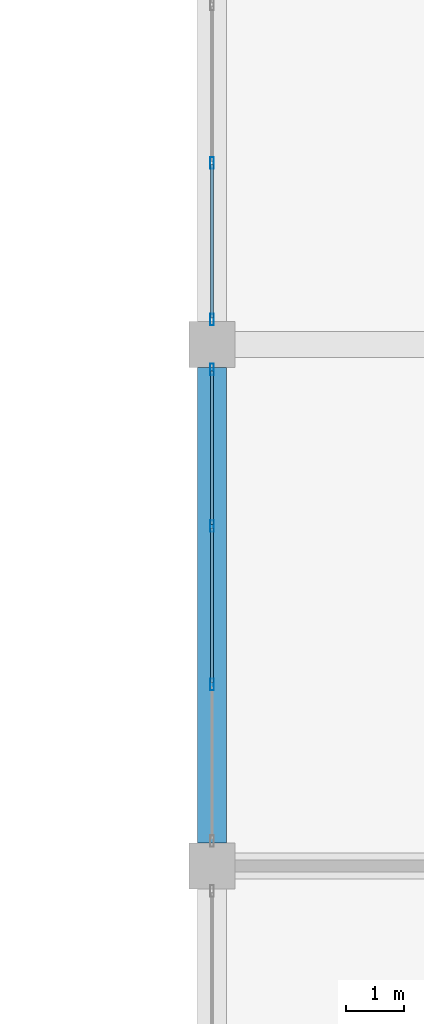
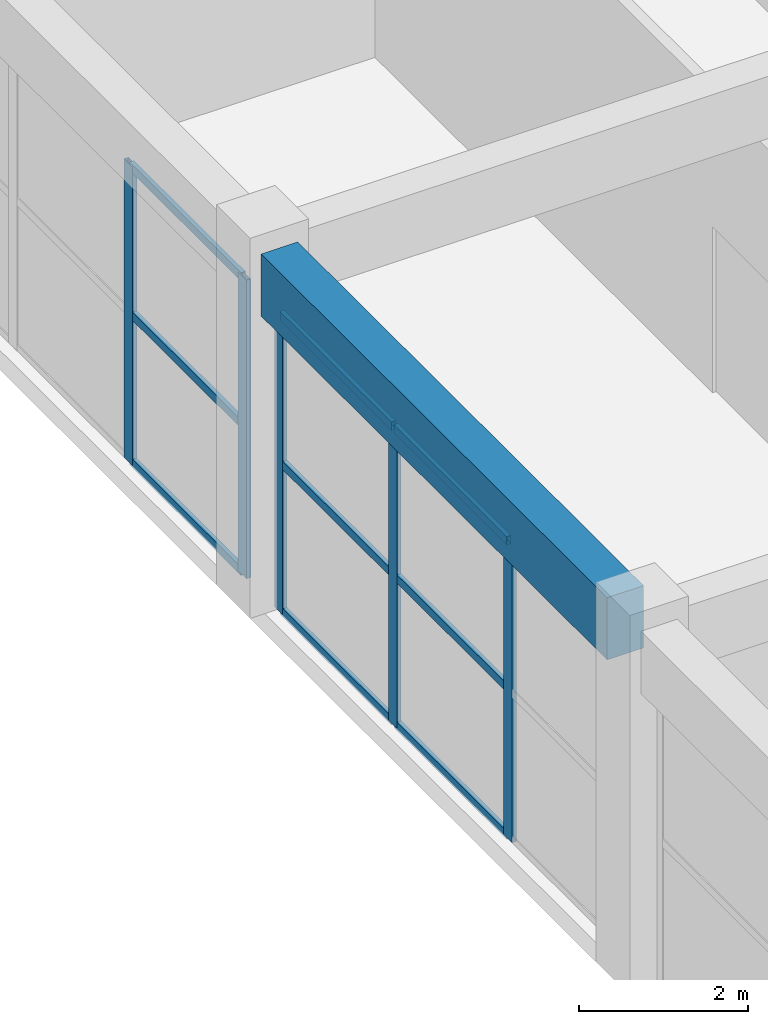
# One storey, part 74 of 185: 14 members, 1 beam, 2 elements without a shape of their own.
"""IFC4 building model written with IfcOpenShell, lengths in metres."""

import ifcopenshell
import ifcopenshell.guid

model = None  # the IFC model being written
_history = None  # IfcOwnerHistory: only IFC2X3 demands one
_inside = {}  # id of a spatial element -> (the spatial element, [elements in it])
_under = {}  # id of a project, library or spatial element -> (it, [spatial elements below it])
_declared = {}  # id of a project -> (the project, [libraries it declares])
_typed = {}  # id of a type object -> (the type object, [elements of that type])
_made_of = {}  # id of a material, layer set ... -> (it, [elements and type objects made of it])


def new_model(schema):
    """Start an empty IFC model of exactly this schema.

    Asked for "IFC4X3", IfcOpenShell would pick the latest addendum, in which some entities
    have other attributes; the version numbers below select the first issue.
    IFC2X3 requires an IfcOwnerHistory on every rooted entity: one is made here for all.
    """
    global model, _history
    if schema == "IFC4X3":
        model = ifcopenshell.file(schema_version=(4, 3, 0, 0))
    else:
        model = ifcopenshell.file(schema=schema)
    _inside.clear()
    _under.clear()
    _declared.clear()
    _typed.clear()
    _made_of.clear()
    _history = None
    if model.schema == "IFC2X3":
        org = make("IfcOrganization", Name="unknown")
        user = make(
            "IfcPersonAndOrganization",
            ThePerson=make("IfcPerson", FamilyName="unknown"),
            TheOrganization=org,
        )
        app = make(
            "IfcApplication",
            ApplicationDeveloper=org,
            Version="unknown",
            ApplicationFullName="unknown",
            ApplicationIdentifier="unknown",
        )
        _history = make(
            "IfcOwnerHistory",
            OwningUser=user,
            OwningApplication=app,
            ChangeAction="ADDED",
            CreationDate=0,
        )
    return model


def make(cls, **values):
    """One entity of the class cls with the attributes given. An attribute that is None is left unset."""
    return model.create_entity(
        cls, **{name: value for name, value in values.items() if value is not None}
    )


def rooted(cls, **values):
    """An entity with a GlobalId (a new one), such as an element, a storey or a relation."""
    return make(cls, GlobalId=ifcopenshell.guid.new(), OwnerHistory=_history, **values)


def si_unit(unit_type, name, prefix=None):
    """IfcSIUnit, for example si_unit("LENGTHUNIT", "METRE", prefix="MILLI")."""
    return make("IfcSIUnit", UnitType=unit_type, Prefix=prefix, Name=name)


def assignment(units):
    """IfcUnitAssignment: the units of a project."""
    return None if units is None else make("IfcUnitAssignment", Units=units)


def point(xyz):
    """IfcCartesianPoint."""
    return None if xyz is None else make("IfcCartesianPoint", Coordinates=xyz)


def direction(xyz):
    """IfcDirection."""
    return None if xyz is None else make("IfcDirection", DirectionRatios=xyz)


def frame(location, z_axis=None, x_axis=None):
    """IfcAxis2Placement3D, a coordinate frame: its origin and axes. An axis left out is left unset."""
    return make(
        "IfcAxis2Placement3D",
        Location=point(location),
        Axis=direction(z_axis),
        RefDirection=direction(x_axis),
    )


def frame_2d(location, x_axis=None):
    """IfcAxis2Placement2D, a coordinate frame in the plane: its origin and x axis."""
    return make(
        "IfcAxis2Placement2D", Location=point(location), RefDirection=direction(x_axis)
    )


def origin():
    """The frame at (0, 0, 0) with its axes left unset."""
    return frame((0.0, 0.0, 0.0))


def origin_2d():
    """The frame at (0, 0) in the plane with its x axis left unset."""
    return frame_2d((0.0, 0.0))


def place(relative_to, where):
    """IfcLocalPlacement: puts the frame where relative to a parent placement (None: the world)."""
    return make(
        "IfcLocalPlacement", PlacementRelTo=relative_to, RelativePlacement=where
    )


def context(
    kind, dimensions, precision=None, world=None, true_north=None, identifier=None
):
    """IfcGeometricRepresentationContext, for example the 3D "Model" context."""
    return make(
        "IfcGeometricRepresentationContext",
        ContextIdentifier=identifier,
        ContextType=kind,
        CoordinateSpaceDimension=dimensions,
        Precision=precision,
        WorldCoordinateSystem=world,
        TrueNorth=true_north,
    )


def subcontext(parent, identifier, kind, view, scale=None):
    """IfcGeometricRepresentationSubContext, for example "Body" below "Model"."""
    return make(
        "IfcGeometricRepresentationSubContext",
        ContextIdentifier=identifier,
        ContextType=kind,
        ParentContext=parent,
        TargetScale=scale,
        TargetView=view,
    )


def project(units=None, contexts=None):
    """IfcProject with its units and contexts."""
    return rooted(
        "IfcProject",
        Name="project",
        RepresentationContexts=contexts,
        UnitsInContext=assignment(units),
    )


def spatial(cls, under=None, at=None, **own):
    """A site, building, storey or space (cls), placed at a placement, below another one or the project."""
    s = rooted(cls, ObjectPlacement=at, **own)
    if under is not None:
        _under.setdefault(under.id(), (under, []))[1].append(s)
    return s


def profile(cls, at=None, kind="AREA", **sizes):
    """A parametric profile (cls). Its sizes go by their IFC names, for example OverallWidth=200.0."""
    return make(cls, ProfileType=kind, Position=at, **sizes)


def rectangle(**sizes):
    """IfcRectangleProfileDef."""
    return profile("IfcRectangleProfileDef", **sizes)


def hollow_rectangle(**sizes):
    """IfcRectangleHollowProfileDef."""
    return profile("IfcRectangleHollowProfileDef", **sizes)


def extrude(swept, where, along, depth):
    """IfcExtrudedAreaSolid: the profile swept, set in the frame where, extruded along a direction by depth."""
    return make(
        "IfcExtrudedAreaSolid",
        SweptArea=swept,
        Position=where,
        ExtrudedDirection=direction(along),
        Depth=depth,
    )


def shape(context_of_items, identifier, shape_type, items):
    """IfcShapeRepresentation: the items that make up one representation, for example the "Body"."""
    return make(
        "IfcShapeRepresentation",
        ContextOfItems=context_of_items,
        RepresentationIdentifier=identifier,
        RepresentationType=shape_type,
        Items=items,
    )


def material(Name=None, Category=None):
    """IfcMaterial."""
    return make("IfcMaterial", Name=Name, Category=Category)


def layer(
    of_material, thickness, ventilated=None, Name=None, Category=None, Priority=None
):
    """IfcMaterialLayer: one layer of a wall or slab, of a material (None: an air gap)."""
    return make(
        "IfcMaterialLayer",
        Material=of_material,
        LayerThickness=thickness,
        IsVentilated=ventilated,
        Name=Name,
        Category=Category,
        Priority=Priority,
    )


def layer_set(layers, Name=None):
    """IfcMaterialLayerSet."""
    return make("IfcMaterialLayerSet", MaterialLayers=layers, LayerSetName=Name)


def material_profile(
    of_material, cross_section, Name=None, Category=None, Priority=None
):
    """IfcMaterialProfile: a cross section and its material."""
    return make(
        "IfcMaterialProfile",
        Name=Name,
        Material=of_material,
        Profile=cross_section,
        Priority=Priority,
        Category=Category,
    )


def profile_set(profiles, Name=None, composite=None):
    """IfcMaterialProfileSet."""
    return make(
        "IfcMaterialProfileSet",
        Name=Name,
        MaterialProfiles=profiles,
        CompositeProfile=composite,
    )


def made_of(thing, what):
    """Note that an element or type object is made of a material, layer set ...; save() writes the relation."""
    if what is not None:
        _made_of.setdefault(what.id(), (what, []))[1].append(thing)
    return thing


def type_object(cls, material=None, **own):
    """A type object (cls), such as IfcWallType, which elements share."""
    return made_of(rooted(cls, **own), material)


def element(
    cls,
    number,
    at=None,
    inside=None,
    cuts=None,
    type_object=None,
    material=None,
    context=None,
    identifier="Body",
    shape_type=None,
    held_by="IfcProductDefinitionShape",
    body=None,
    shapes=None,
    **own,
):
    """One element of the class cls, such as IfcWall. Its Tag is "e" and its number.

    at: its placement. inside: the storey or other place that contains it. cuts: it is an
    opening in that element (IfcRelVoidsElement). A single representation is given by context,
    identifier, shape_type and body (its items); several are given by shapes. held_by: the class
    of the entity that holds the representations. save() writes the other relations.
    """
    e = rooted(cls, Tag="e%d" % number, ObjectPlacement=at, **own)
    if body is not None:
        shapes = [shape(context, identifier, shape_type, body)]
    if shapes is not None:
        e.Representation = make(held_by, Representations=shapes)
    if inside is not None:
        _inside.setdefault(inside.id(), (inside, []))[1].append(e)
    if cuts is not None:
        rooted(
            "IfcRelVoidsElement", RelatingBuildingElement=cuts, RelatedOpeningElement=e
        )
    if type_object is not None:
        _typed.setdefault(type_object.id(), (type_object, []))[1].append(e)
    return made_of(e, material)


def aggregate(whole, parts):
    """IfcRelAggregates: a whole, such as a stair, and the parts it consists of."""
    return rooted("IfcRelAggregates", RelatingObject=whole, RelatedObjects=parts)


def save(model, path):
    """Write the relations noted so far, then the file.

    IfcRelAggregates (storeys below a building ...), IfcRelContainedInSpatialStructure (elements
    in a storey), IfcRelDefinesByType, IfcRelAssociatesMaterial and IfcRelDeclares: one each for
    every whole, place, type object, material and project.
    """
    for whole, parts in _under.values():
        aggregate(whole, parts)
    for where, things in _inside.values():
        rooted(
            "IfcRelContainedInSpatialStructure",
            RelatedElements=things,
            RelatingStructure=where,
        )
    for kind, things in _typed.values():
        rooted("IfcRelDefinesByType", RelatedObjects=things, RelatingType=kind)
    for what, things in _made_of.values():
        rooted("IfcRelAssociatesMaterial", RelatedObjects=things, RelatingMaterial=what)
    for by, libraries in _declared.values():
        rooted("IfcRelDeclares", RelatingContext=by, RelatedDefinitions=libraries)
    model.write(path)


model = new_model("IFC4")

# Units and contexts
model_context = context("Model", 3, precision=1e-05, world=origin(), true_north=direction((0.0, 1.0)))
body_context = subcontext(model_context, "Body", "Model", "MODEL_VIEW")
ifc_project = project(units=[si_unit("LENGTHUNIT", "METRE"), si_unit("AREAUNIT", "SQUARE_METRE"), si_unit("VOLUMEUNIT", "CUBIC_METRE"), si_unit("PLANEANGLEUNIT", "RADIAN"), si_unit("MASSUNIT", "GRAM", prefix="KILO")], contexts=[model_context])

# Site, building, storey
site_placement = place(None, origin())
site = spatial("IfcSite", under=ifc_project, at=site_placement, CompositionType="ELEMENT")
building_placement = place(site_placement, origin())
building = spatial("IfcBuilding", under=site, at=building_placement, Name="Opaline Strait Convention Centre", CompositionType="ELEMENT")
storey_placement = place(building_placement, frame((0.0, 0.0, 6.0)))
storey = spatial("IfcBuildingStorey", under=building, at=storey_placement, Name="L01", CompositionType="ELEMENT", Elevation=6.0)

# Curtain wall, members
ifc_material_1 = material(Name="Aluminium framed double glazing", Category="aluminium")
ifc_layer = layer(ifc_material_1, 0.199951171875)
ifc_layer_set = layer_set([ifc_layer], Name="Aluminium framed double glazing")
curtain_wall_type = type_object("IfcCurtainWallType", Name="Curtain wall 3000 module unitised", PredefinedType="NOTDEFINED", material=ifc_layer_set)
curtain_wall_1_placement = place(storey_placement, origin())
curtain_wall_1 = element("IfcCurtainWall", 1, at=curtain_wall_1_placement, inside=storey, type_object=curtain_wall_type, Name="Curtain wall W L01 32/R", PredefinedType="NOTDEFINED")
ifc_material_2 = material(Name="Aluminium alloy 6063", Category="aluminium")
ifc_material_profile_1 = material_profile(ifc_material_2, hollow_rectangle(XDim=0.06005859375, YDim=0.199951171875, WallThickness=0.00390625, at=origin_2d()), Name="MULLION 60x200x4")
ifc_profile_set_1 = profile_set([ifc_material_profile_1], Name="Aluminium alloy 6063")
member_type_1 = type_object("IfcMemberType", Name="Curtain wall mullion 60 x 200", PredefinedType="MULLION", material=ifc_profile_set_1)
member_1_placement = place(storey_placement, frame((279.0, 138.13330078125, 0.0), z_axis=(0.0, 0.0, 1.0), x_axis=(-1.0, 0.0, 0.0)))
member_1 = element("IfcMember", 2, at=member_1_placement, type_object=member_type_1, Name="MCWR1 mullion 2", PredefinedType="MULLION", context=body_context, shape_type="SweptSolid", body=[
    extrude(hollow_rectangle(XDim=0.06005859375, YDim=0.199951171875, WallThickness=0.00390625, at=origin_2d()), origin(), (0.0, 0.0, 1.0), 4.320068359375),
])
member_2_placement = place(storey_placement, frame((279.0, 140.86669921875, 0.0), z_axis=(0.0, 0.0, 1.0), x_axis=(-1.0, 0.0, 0.0)))
member_2 = element("IfcMember", 3, at=member_2_placement, type_object=member_type_1, Name="MCWR1 mullion 3", PredefinedType="MULLION", context=body_context, shape_type="SweptSolid", body=[
    extrude(hollow_rectangle(XDim=0.06005859375, YDim=0.199951171875, WallThickness=0.00390625, at=origin_2d()), origin(), (0.0, 0.0, 1.0), 4.320068359375),
])
member_3_placement = place(storey_placement, frame((279.0, 143.570068359375, 0.0), z_axis=(0.0, 0.0, 1.0), x_axis=(-1.0, 0.0, 0.0)))
member_3 = element("IfcMember", 4, at=member_3_placement, type_object=member_type_1, Name="MCWR1 mullion 4", PredefinedType="MULLION", context=body_context, shape_type="SweptSolid", body=[
    extrude(hollow_rectangle(XDim=0.06005859375, YDim=0.199951171875, WallThickness=0.00390625, at=origin_2d()), origin(), (0.0, 0.0, 1.0), 4.320068359375),
])

curtain_wall_2_placement = place(storey_placement, origin())
curtain_wall_2 = element("IfcCurtainWall", 5, at=curtain_wall_2_placement, inside=storey, type_object=curtain_wall_type, Name="Curtain wall W L01 32/S", PredefinedType="NOTDEFINED")
member_4_placement = place(storey_placement, frame((279.0, 144.429931640625, 0.0), z_axis=(0.0, 0.0, 1.0), x_axis=(-1.0, 0.0, 0.0)))
member_4 = element("IfcMember", 6, at=member_4_placement, type_object=member_type_1, Name="MCWR1 mullion 1", PredefinedType="MULLION", context=body_context, shape_type="SweptSolid", body=[
    extrude(hollow_rectangle(XDim=0.06005859375, YDim=0.199951171875, WallThickness=0.00390625, at=origin_2d()), origin(), (0.0, 0.0, 1.0), 4.320068359375),
])
member_5_placement = place(storey_placement, frame((279.0, 147.13330078125, 0.0), z_axis=(0.0, 0.0, 1.0), x_axis=(-1.0, 0.0, 0.0)))
member_5 = element("IfcMember", 7, at=member_5_placement, type_object=member_type_1, Name="MCWR1 mullion 2", PredefinedType="MULLION", context=body_context, shape_type="SweptSolid", body=[
    extrude(hollow_rectangle(XDim=0.06005859375, YDim=0.199951171875, WallThickness=0.00390625, at=origin_2d()), origin(), (0.0, 0.0, 1.0), 4.320068359375),
])

# Member
ifc_material_profile_2 = material_profile(ifc_material_2, hollow_rectangle(XDim=0.06005859375, YDim=0.1201171875, WallThickness=0.0029296875, at=origin_2d()), Name="TRANSOM 60x120x3")
ifc_profile_set_2 = profile_set([ifc_material_profile_2], Name="Aluminium alloy 6063")
member_type_2 = type_object("IfcMemberType", Name="Curtain wall transom 60 x 120", PredefinedType="USERDEFINED", material=ifc_profile_set_2)
member_6_placement = place(storey_placement, frame((279.0, 138.163330078125, 0.030029296875), z_axis=(0.0, 1.0, 0.0), x_axis=(-1.0, 0.0, 0.0)))
member_6 = element("IfcMember", 8, at=member_6_placement, type_object=member_type_2, Name="MCWR1 transom 2.1", ObjectType="TRANSOM", PredefinedType="USERDEFINED", context=body_context, shape_type="SweptSolid", body=[
    extrude(hollow_rectangle(XDim=0.06005859375, YDim=0.1201171875, WallThickness=0.0029296875, at=origin_2d()), origin(), (0.0, 0.0, 1.0), 2.67333984375),
])

member_7_placement = place(storey_placement, frame((279.0, 138.163330078125, 2.159912109375), z_axis=(0.0, 1.0, 0.0), x_axis=(-1.0, 0.0, 0.0)))
member_7 = element("IfcMember", 9, at=member_7_placement, type_object=member_type_2, Name="MCWR1 transom 2.2", ObjectType="TRANSOM", PredefinedType="USERDEFINED", context=body_context, shape_type="SweptSolid", body=[
    extrude(hollow_rectangle(XDim=0.06005859375, YDim=0.1201171875, WallThickness=0.0029296875, at=origin_2d()), origin(), (0.0, 0.0, 1.0), 2.67333984375),
])

member_8_placement = place(storey_placement, frame((279.0, 138.163330078125, 4.2900390625), z_axis=(0.0, 1.0, 0.0), x_axis=(-1.0, 0.0, 0.0)))
member_8 = element("IfcMember", 10, at=member_8_placement, type_object=member_type_2, Name="MCWR1 transom 2.3", ObjectType="TRANSOM", PredefinedType="USERDEFINED", context=body_context, shape_type="SweptSolid", body=[
    extrude(hollow_rectangle(XDim=0.06005859375, YDim=0.1201171875, WallThickness=0.0029296875, at=origin_2d()), origin(), (0.0, 0.0, 1.0), 2.67333984375),
])

member_9_placement = place(storey_placement, frame((279.0, 140.896728515625, 0.030029296875), z_axis=(0.0, 1.0, 0.0), x_axis=(-1.0, 0.0, 0.0)))
member_9 = element("IfcMember", 11, at=member_9_placement, type_object=member_type_2, Name="MCWR1 transom 3.1", ObjectType="TRANSOM", PredefinedType="USERDEFINED", context=body_context, shape_type="SweptSolid", body=[
    extrude(hollow_rectangle(XDim=0.06005859375, YDim=0.1201171875, WallThickness=0.0029296875, at=origin_2d()), origin(), (0.0, 0.0, 1.0), 2.643310546875),
])

member_10_placement = place(storey_placement, frame((279.0, 140.896728515625, 2.159912109375), z_axis=(0.0, 1.0, 0.0), x_axis=(-1.0, 0.0, 0.0)))
member_10 = element("IfcMember", 12, at=member_10_placement, type_object=member_type_2, Name="MCWR1 transom 3.2", ObjectType="TRANSOM", PredefinedType="USERDEFINED", context=body_context, shape_type="SweptSolid", body=[
    extrude(hollow_rectangle(XDim=0.06005859375, YDim=0.1201171875, WallThickness=0.0029296875, at=origin_2d()), origin(), (0.0, 0.0, 1.0), 2.643310546875),
])

member_11_placement = place(storey_placement, frame((279.0, 140.896728515625, 4.2900390625), z_axis=(0.0, 1.0, 0.0), x_axis=(-1.0, 0.0, 0.0)))
member_11 = element("IfcMember", 13, at=member_11_placement, type_object=member_type_2, Name="MCWR1 transom 3.3", ObjectType="TRANSOM", PredefinedType="USERDEFINED", context=body_context, shape_type="SweptSolid", body=[
    extrude(hollow_rectangle(XDim=0.06005859375, YDim=0.1201171875, WallThickness=0.0029296875, at=origin_2d()), origin(), (0.0, 0.0, 1.0), 2.643310546875),
])

aggregate(curtain_wall_1, [member_1, member_2, member_3, member_6, member_7, member_8, member_9, member_10, member_11])

member_12_placement = place(storey_placement, frame((279.0, 144.4599609375, 0.030029296875), z_axis=(0.0, 1.0, 0.0), x_axis=(-1.0, 0.0, 0.0)))
member_12 = element("IfcMember", 14, at=member_12_placement, type_object=member_type_2, Name="MCWR1 transom 1.1", ObjectType="TRANSOM", PredefinedType="USERDEFINED", context=body_context, shape_type="SweptSolid", body=[
    extrude(hollow_rectangle(XDim=0.06005859375, YDim=0.1201171875, WallThickness=0.0029296875, at=origin_2d()), origin(), (0.0, 0.0, 1.0), 2.643310546875),
])

member_13_placement = place(storey_placement, frame((279.0, 144.4599609375, 2.159912109375), z_axis=(0.0, 1.0, 0.0), x_axis=(-1.0, 0.0, 0.0)))
member_13 = element("IfcMember", 15, at=member_13_placement, type_object=member_type_2, Name="MCWR1 transom 1.2", ObjectType="TRANSOM", PredefinedType="USERDEFINED", context=body_context, shape_type="SweptSolid", body=[
    extrude(hollow_rectangle(XDim=0.06005859375, YDim=0.1201171875, WallThickness=0.0029296875, at=origin_2d()), origin(), (0.0, 0.0, 1.0), 2.643310546875),
])

member_14_placement = place(storey_placement, frame((279.0, 144.4599609375, 4.2900390625), z_axis=(0.0, 1.0, 0.0), x_axis=(-1.0, 0.0, 0.0)))
member_14 = element("IfcMember", 16, at=member_14_placement, type_object=member_type_2, Name="MCWR1 transom 1.3", ObjectType="TRANSOM", PredefinedType="USERDEFINED", context=body_context, shape_type="SweptSolid", body=[
    extrude(hollow_rectangle(XDim=0.06005859375, YDim=0.1201171875, WallThickness=0.0029296875, at=origin_2d()), origin(), (0.0, 0.0, 1.0), 2.643310546875),
])

aggregate(curtain_wall_2, [member_4, member_5, member_12, member_13, member_14])

# Beam
ifc_material_3 = material(Name="Concrete C35", Category="concrete")
ifc_material_profile_3 = material_profile(ifc_material_3, rectangle(XDim=0.5, YDim=0.89990234375, at=origin_2d()), Name="RC 500x900")
ifc_profile_set_3 = profile_set([ifc_material_profile_3], Name="Concrete C35")
beam_type = type_object("IfcBeamType", Name="RC edge beam 500x900 C35", PredefinedType="BEAM", material=ifc_profile_set_3)
beam_placement = place(storey_placement, frame((279.0, 135.39990234375, 4.77001953125), z_axis=(0.0, 1.0, 0.0), x_axis=(-1.0, 0.0, 0.0)))
element("IfcBeam", 17, at=beam_placement, inside=storey, type_object=beam_type, Name="MRB2 L01 32/R-32/S", PredefinedType="BEAM", context=body_context, shape_type="SweptSolid", body=[
    extrude(rectangle(XDim=0.5, YDim=0.89990234375, at=origin_2d()), origin(), (0.0, 0.0, 1.0), 8.2001953125),
])

save(model, "model.ifc")
